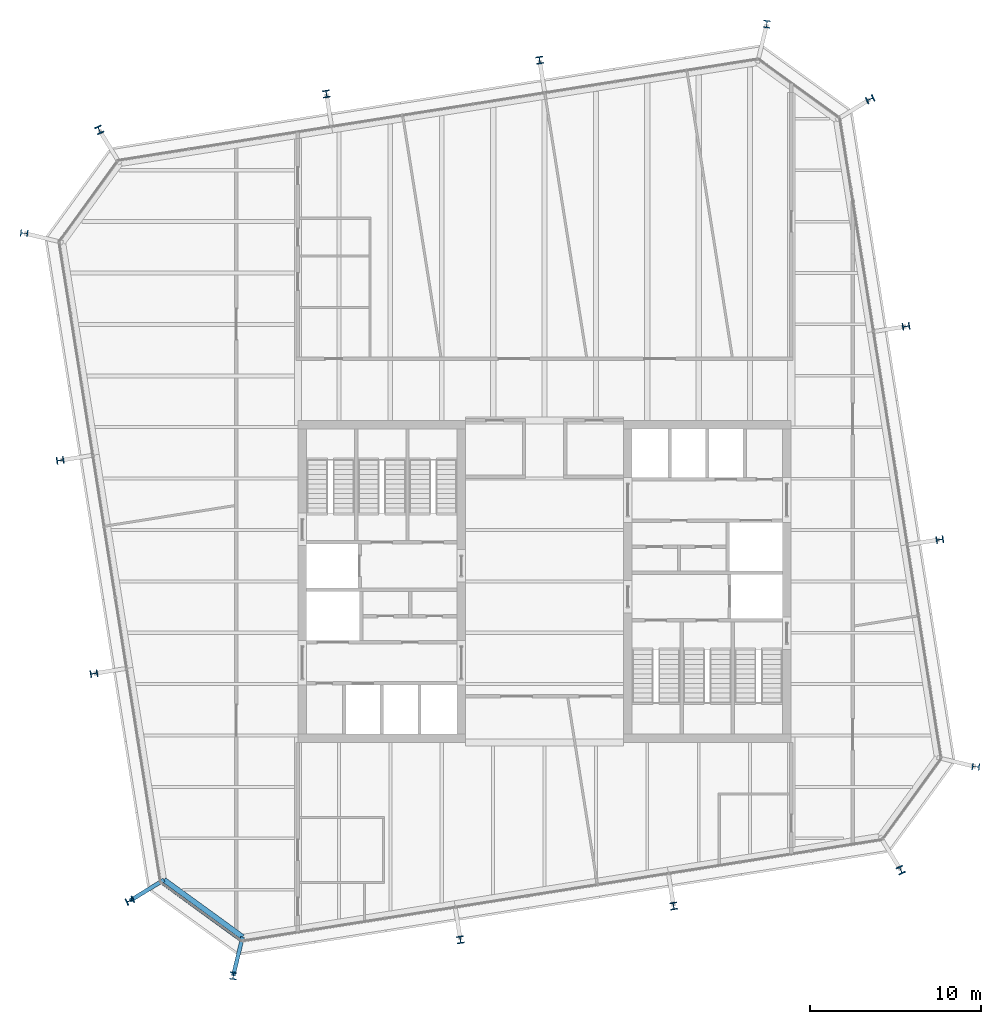
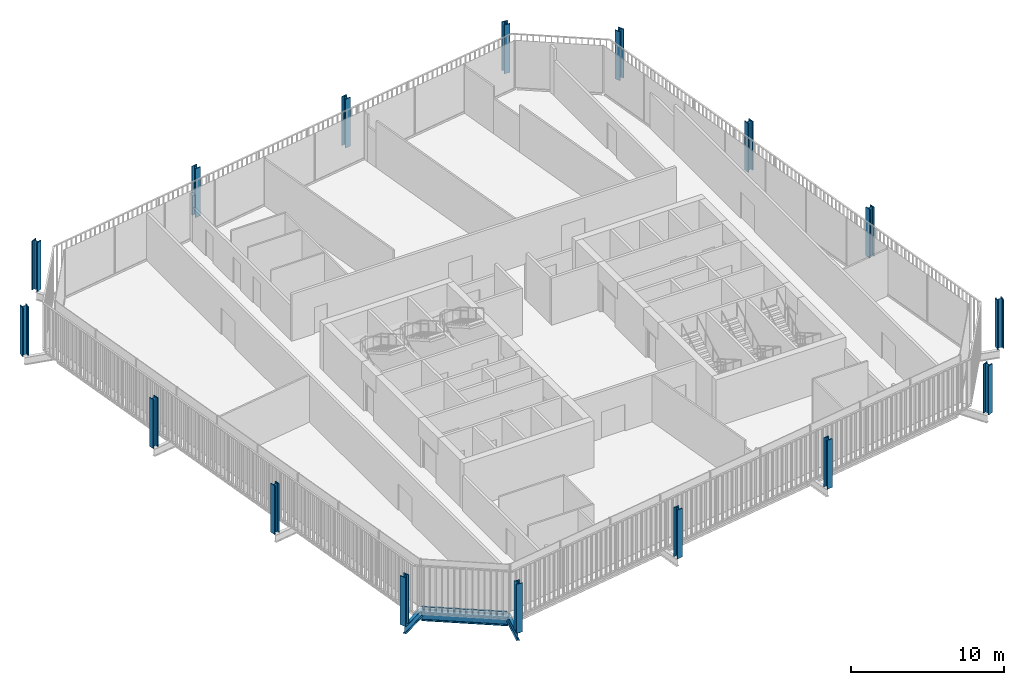
# One storey, part 1 of 20: 16 columns, 3 beams, 1 member, 1 element without a shape of its own.
"""IFC4 building model written with IfcOpenShell, lengths in metres."""

from ifc_helpers import new_model, si_unit, direction, frame, origin, origin_2d, place, context, subcontext, project, spatial, rectangle, i_section, extrude, material, layer, layer_set, material_profile, profile_set, type_object, element, aggregate, save


model = new_model("IFC4")

# Units and contexts
model_context = context("Model", 3, precision=1e-05, world=origin(), true_north=direction((0.0, 1.0)))
body_context = subcontext(model_context, "Body", "Model", "MODEL_VIEW")
ifc_project = project(units=[si_unit("LENGTHUNIT", "METRE"), si_unit("AREAUNIT", "SQUARE_METRE"), si_unit("VOLUMEUNIT", "CUBIC_METRE"), si_unit("PLANEANGLEUNIT", "RADIAN"), si_unit("MASSUNIT", "GRAM", prefix="KILO")], contexts=[model_context])

# Site, building, storey
site_placement = place(None, origin())
site = spatial("IfcSite", under=ifc_project, at=site_placement, CompositionType="ELEMENT")
building_placement = place(site_placement, origin())
building = spatial("IfcBuilding", under=site, at=building_placement, Name="Millrace Tower", CompositionType="ELEMENT")
storey_placement = place(building_placement, frame((0.0, 0.0, 216.39990234375)))
storey = spatial("IfcBuildingStorey", under=building, at=storey_placement, Name="L49", CompositionType="ELEMENT", Elevation=216.39990234375)

# Columns
ifc_material_1 = material(Name="Steel ASTM A913 Grade 65", Category="steel")
ifc_material_profile_1 = material_profile(ifc_material_1, i_section(OverallWidth=0.408935546875, OverallDepth=0.424072265625, WebThickness=0.03271484375, FlangeThickness=0.052490234375, FilletRadius=0.01513671875, at=origin_2d()))
ifc_profile_set_1 = profile_set([ifc_material_profile_1], Name="Steel ASTM A913 Grade 65")
column_type_1 = type_object("IfcColumnType", Name="Exoskeleton column W14x283", PredefinedType="COLUMN", material=ifc_profile_set_1)
for number, where, z_axis, x_axis, name in (
    (1, (-4.91162109375, -20.927734375, 0.0), (0.0, 0.0, 1.0), (0.987688341035, 0.156434462265, 0.0), "COL-D-L49-X03"),
    (2, (7.533203125, -18.956787109375, 0.0), (0.0, 0.0, 1.0), (0.987688341035, 0.156434462265, 0.0), "COL-D-L49-X04"),
    (3, (23.07763671875, 2.4384765625, 0.0), (0.0, 0.0, 1.0), (-0.156434462265, 0.987688341035, 0.0), "COL-D-L49-X07"),
    (4, (21.106689453125, 14.88330078125, 0.0), (0.0, 0.0, 1.0), (-0.156434462265, 0.987688341035, 0.0), "COL-D-L49-X08"),
    (5, (-0.288330078125, 30.427734375, 0.0), (0.0, 0.0, 1.0), (-0.987688341035, -0.156434462265, 0.0), "COL-D-L49-X11"),
    (6, (-12.7333984375, 28.456787109375, 0.0), (0.0, 0.0, 1.0), (-0.987688341035, -0.156434462265, 0.0), "COL-D-L49-X12"),
    (7, (-28.27783203125, 7.0615234375, 0.0), (0.0, 0.0, 1.0), (0.156434462265, -0.987688341035, 0.0), "COL-D-L49-X15"),
    (8, (-26.306640625, -5.38330078125, 0.0), (0.0, 0.0, 1.0), (0.156434462265, -0.987688341035, 0.0), "COL-D-L49-X16"),
):
    element("IfcColumn", number, at=place(storey_placement, frame(where, z_axis=z_axis, x_axis=x_axis)), inside=storey, type_object=column_type_1, Name=name, PredefinedType="COLUMN", context=body_context, shape_type="SweptSolid", body=[
        extrude(i_section(OverallWidth=0.408935546875, OverallDepth=0.424072265625, WebThickness=0.03271484375, FlangeThickness=0.052490234375, FilletRadius=0.01513671875, at=origin_2d()), origin(), (0.0, 0.0, 1.0), 3.900146484375),
    ])
ifc_material_2 = material(Name="Steel ASTM A913 Grade 65", Category="steel")
ifc_material_profile_2 = material_profile(ifc_material_2, i_section(OverallWidth=0.41650390625, OverallDepth=0.444580078125, WebThickness=0.0390625, FlangeThickness=0.062744140625, FilletRadius=0.01513671875, at=origin_2d()))
ifc_profile_set_2 = profile_set([ifc_material_profile_2], Name="Steel ASTM A913 Grade 65")
column_type_2 = type_object("IfcColumnType", Name="Exoskeleton column W14x342", PredefinedType="COLUMN", material=ifc_profile_set_2)
for number, where, z_axis, x_axis, name in (
    (9, (-24.2060546875, -18.646484375, 0.0), (0.0, 0.0, 1.0), (0.418552981224, -0.908192381552, 0.0), "COL-D-L49-X01"),
    (10, (-18.174560546875, -23.0283203125, 0.0), (0.0, 0.0, 1.0), (0.993082267365, -0.117420655103, 0.0), "COL-D-L49-X02"),
    (11, (20.79638671875, -16.85595703125, 0.0), (0.0, 0.0, 1.0), (0.908192381552, 0.418552981224, 0.0), "COL-D-L49-X05"),
    (12, (25.178466796875, -10.82470703125, 0.0), (0.0, 0.0, 1.0), (0.117420655103, 0.993082267365, 0.0), "COL-D-L49-X06"),
    (13, (19.006103515625, 28.146484375, 0.0), (0.0, 0.0, 1.0), (-0.418552981224, 0.908192381552, 0.0), "COL-D-L49-X09"),
    (14, (12.974609375, 32.5283203125, 0.0), (0.0, 0.0, 1.0), (-0.993082267365, 0.117420655103, 0.0), "COL-D-L49-X10"),
    (15, (-25.996337890625, 26.35595703125, 0.0), (0.0, 0.0, 1.0), (-0.908192381552, -0.418552981224, 0.0), "COL-D-L49-X13"),
    (16, (-30.37841796875, 20.32470703125, 0.0), (0.0, 0.0, 1.0), (-0.117420655103, -0.993082267365, 0.0), "COL-D-L49-X14"),
):
    element("IfcColumn", number, at=place(storey_placement, frame(where, z_axis=z_axis, x_axis=x_axis)), inside=storey, type_object=column_type_2, Name=name, PredefinedType="COLUMN", context=body_context, shape_type="SweptSolid", body=[
        extrude(i_section(OverallWidth=0.41650390625, OverallDepth=0.444580078125, WebThickness=0.0390625, FlangeThickness=0.062744140625, FilletRadius=0.01513671875, at=origin_2d()), origin(), (0.0, 0.0, 1.0), 3.900146484375),
    ])

# Curtain wall, member
ifc_material_3 = material(Name="Aluminium and glass", Category="aluminium")
ifc_layer = layer(ifc_material_3, 0.14990234375)
ifc_layer_set = layer_set([ifc_layer], Name="Aluminium and glass")
curtain_wall_type = type_object("IfcCurtainWallType", Name="CW-1 office vision curtain wall", PredefinedType="NOTDEFINED", material=ifc_layer_set)
curtain_wall_placement = place(storey_placement, origin())
curtain_wall = element("IfcCurtainWall", 17, at=curtain_wall_placement, inside=storey, type_object=curtain_wall_type, Name="Curtain wall D-F01 L49", PredefinedType="NOTDEFINED")
ifc_material_4 = material(Name="Aluminium", Category="aluminium")
ifc_material_profile_3 = material_profile(ifc_material_4, rectangle(XDim=0.14990234375, YDim=0.139892578125, at=origin_2d()))
ifc_profile_set_3 = profile_set([ifc_material_profile_3], Name="Aluminium")
member_type = type_object("IfcMemberType", Name="CW-1 office vision curtain wall transom", PredefinedType="USERDEFINED", material=ifc_profile_set_3)
member_placement = place(storey_placement, frame((-22.323486328125, -17.634765625, 0.070068359375), z_axis=(0.809033935994, -0.587761933448, 0.0), x_axis=(0.587761933448, 0.809033935994, 0.0)))
member = element("IfcMember", 18, at=member_placement, type_object=member_type, Name="CW1 transom D-F01.1", ObjectType="TRANSOM", PredefinedType="USERDEFINED", context=body_context, shape_type="SweptSolid", body=[
    extrude(rectangle(XDim=0.14990234375, YDim=0.139892578125, at=origin_2d()), origin(), (0.0, 0.0, 1.0), 5.598388671875),
])
aggregate(curtain_wall, [member])

# Beams
ifc_material_5 = material(Name="Steel ASTM A992 Grade 50", Category="steel")
ifc_material_profile_4 = material_profile(ifc_material_5, i_section(OverallWidth=0.23046875, OverallDepth=0.6171875, WebThickness=0.01318359375, FlangeThickness=0.022216796875, FilletRadius=0.012939453125, at=origin_2d()))
ifc_profile_set_4 = profile_set([ifc_material_profile_4], Name="Steel ASTM A992 Grade 50")
beam_type_1 = type_object("IfcBeamType", Name="Link beam W24x94", PredefinedType="BEAM", material=ifc_profile_set_4)
for number, where, z_axis, x_axis, name in (
    (19, (-22.218505859375, -17.428466796875, -0.468505859375), (-0.852631355792, -0.522512938711, 0.0), (0.522512938711, -0.852631355792, 0.0), "LNK-D-L49-S1-01"),
    (20, (-17.63037109375, -20.76171875, -0.468505859375), (-0.233456138164, -0.972367333652, 0.0), (0.972367333652, -0.233456138164, 0.0), "LNK-D-L49-S1-16"),
):
    element("IfcBeam", number, at=place(storey_placement, frame(where, z_axis=z_axis, x_axis=x_axis)), inside=storey, type_object=beam_type_1, Name=name, PredefinedType="BEAM", context=body_context, shape_type="SweptSolid", body=[
        extrude(i_section(OverallWidth=0.23046875, OverallDepth=0.6171875, WebThickness=0.01318359375, FlangeThickness=0.022216796875, FilletRadius=0.012939453125, at=origin_2d()), origin(), (0.0, 0.0, 1.0), 2.3310546875),
    ])
ifc_material_6 = material(Name="Steel ASTM A992 Grade 50", Category="steel")
ifc_material_profile_5 = material_profile(ifc_material_6, i_section(OverallWidth=0.307373046875, OverallDepth=0.927001953125, WebThickness=0.01953125, FlangeThickness=0.031982421875, FilletRadius=0.01904296875, at=origin_2d()))
ifc_profile_set_5 = profile_set([ifc_material_profile_5], Name="Steel ASTM A992 Grade 50")
beam_type_2 = type_object("IfcBeamType", Name="Ring beam short span W36x194", PredefinedType="SPANDREL", material=ifc_profile_set_5)
beam_placement = place(storey_placement, frame((-17.63037109375, -20.76171875, -0.62353515625), z_axis=(-0.809035699289, 0.587759506326, 0.0), x_axis=(-0.587759506326, -0.809035699289, 0.0)))
element("IfcBeam", 21, at=beam_placement, inside=storey, type_object=beam_type_2, Name="RNG-D-L49-S1-16", PredefinedType="SPANDREL", context=body_context, shape_type="SweptSolid", body=[
    extrude(i_section(OverallWidth=0.307373046875, OverallDepth=0.927001953125, WebThickness=0.01953125, FlangeThickness=0.031982421875, FilletRadius=0.01904296875, at=origin_2d()), origin(), (0.0, 0.0, 1.0), 5.671142578125),
])

save(model, "model.ifc")
